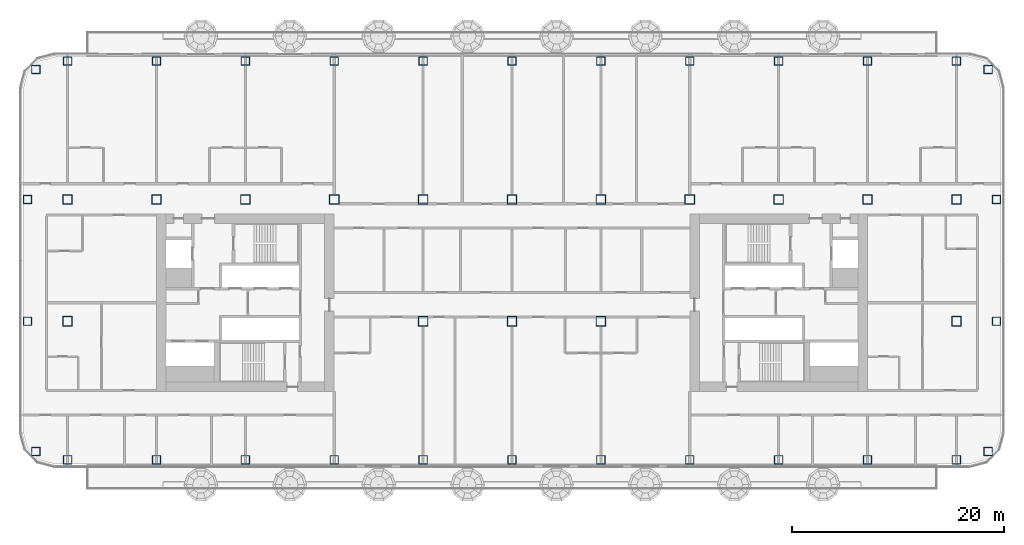
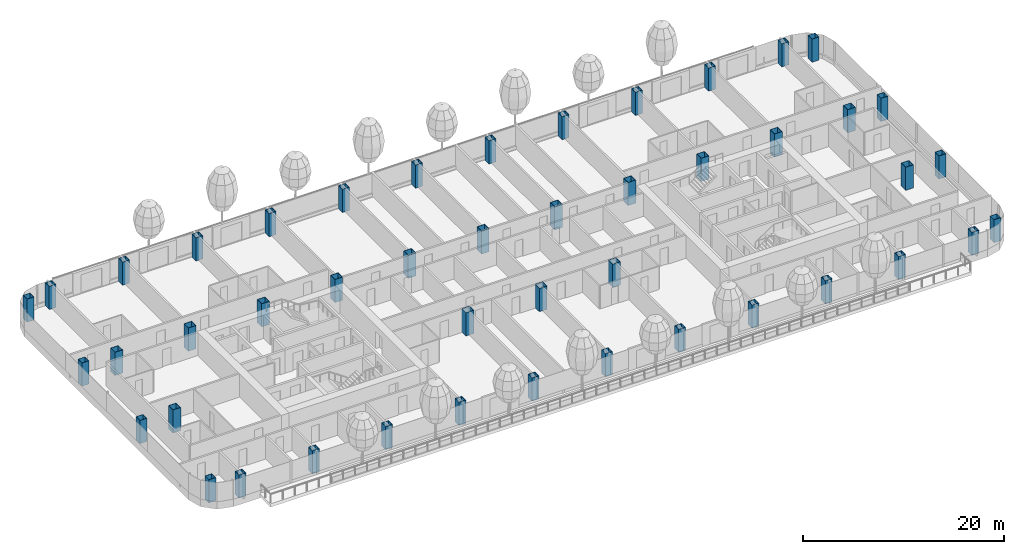
# One storey, part 1 of 34: 46 columns.
"""IFC4 building model written with IfcOpenShell, lengths in metres."""

from ifc_helpers import new_model, si_unit, direction, frame, origin, origin_2d, place, context, subcontext, project, spatial, hollow_rectangle, extrude, material, material_profile, profile_set, type_object, element, save


model = new_model("IFC4")

# Units and contexts
model_context = context("Model", 3, precision=1e-05, world=origin(), true_north=direction((0.0, 1.0)))
body_context = subcontext(model_context, "Body", "Model", "MODEL_VIEW")
ifc_project = project(units=[si_unit("LENGTHUNIT", "METRE"), si_unit("AREAUNIT", "SQUARE_METRE"), si_unit("VOLUMEUNIT", "CUBIC_METRE"), si_unit("PLANEANGLEUNIT", "RADIAN"), si_unit("MASSUNIT", "GRAM", prefix="KILO")], contexts=[model_context])

# Site, building, storey
site_placement = place(None, origin())
site = spatial("IfcSite", under=ifc_project, at=site_placement, CompositionType="ELEMENT")
building_placement = place(site_placement, origin())
building = spatial("IfcBuilding", under=site, at=building_placement, Name="Hakoniwa Tower and Hamabe Station Hall", CompositionType="ELEMENT")
storey_placement = place(building_placement, frame((0.0, 0.0, 107.39990234375)))
storey = spatial("IfcBuildingStorey", under=building, at=storey_placement, Name="L30", CompositionType="ELEMENT", Elevation=107.39990234375)

# Columns
ifc_material_1 = material(Name="Steel SN490C", Category="steel")
ifc_material_profile_1 = material_profile(ifc_material_1, hollow_rectangle(XDim=0.800048828125, YDim=0.800048828125, WallThickness=0.031982421875, at=origin_2d()), Name="BX-800x800x32")
ifc_profile_set_1 = profile_set([ifc_material_profile_1], Name="Steel SN490C")
column_type_1 = type_object("IfcColumnType", Name="COLUMN BX-800x800x32", PredefinedType="COLUMN", material=ifc_profile_set_1)
for number, where, z_axis, x_axis, name in (
    (1, (-45.003173828125, -14.052978515625, 0.0), (0.0, 0.0, 1.0), (1.0, 0.0, 0.0), "Column B2-EW-A2"),
    (2, (-45.800048828125, -1.75, 0.0), (0.0, 0.0, 1.0), (1.0, 0.0, 0.0), "Column B2-EW-C2"),
    (3, (-45.800048828125, 9.75, 0.0), (0.0, 0.0, 1.0), (1.0, 0.0, 0.0), "Column B2-EW-E2"),
    (4, (-45.003173828125, 22.052978515625, 0.0), (0.0, 0.0, 1.0), (1.0, 0.0, 0.0), "Column B2-EW-G2"),
    (5, (-42.0, -14.85009765625, 0.0), (0.0, 0.0, 1.0), (1.0, 0.0, 0.0), "Column B2-2-A2"),
    (6, (-42.0, 22.85009765625, 0.0), (0.0, 0.0, 1.0), (1.0, 0.0, 0.0), "Column B2-2-G2"),
    (7, (-33.60009765625, -14.85009765625, 0.0), (0.0, 0.0, 1.0), (1.0, 0.0, 0.0), "Column B2-3-A2"),
    (8, (-33.60009765625, 22.85009765625, 0.0), (0.0, 0.0, 1.0), (1.0, 0.0, 0.0), "Column B2-3-G2"),
    (9, (-25.199951171875, -14.85009765625, 0.0), (0.0, 0.0, 1.0), (1.0, 0.0, 0.0), "Column B2-4-A2"),
    (10, (-25.199951171875, 22.85009765625, 0.0), (0.0, 0.0, 1.0), (1.0, 0.0, 0.0), "Column B2-4-G2"),
    (11, (-16.800048828125, -14.85009765625, 0.0), (0.0, 0.0, 1.0), (1.0, 0.0, 0.0), "Column B2-5-A2"),
    (12, (-16.800048828125, 22.85009765625, 0.0), (0.0, 0.0, 1.0), (1.0, 0.0, 0.0), "Column B2-5-G2"),
    (13, (-8.39990234375, -14.85009765625, 0.0), (0.0, 0.0, 1.0), (1.0, 0.0, 0.0), "Column B2-6-A2"),
    (14, (-8.39990234375, 22.85009765625, 0.0), (0.0, 0.0, 1.0), (1.0, 0.0, 0.0), "Column B2-6-G2"),
    (15, (0.0, -14.85009765625, 0.0), (0.0, 0.0, 1.0), (1.0, 0.0, 0.0), "Column B2-7-A2"),
    (16, (0.0, 22.85009765625, 0.0), (0.0, 0.0, 1.0), (1.0, 0.0, 0.0), "Column B2-7-G2"),
    (17, (8.39990234375, -14.85009765625, 0.0), (0.0, 0.0, 1.0), (1.0, 0.0, 0.0), "Column B2-8-A2"),
    (18, (8.39990234375, 22.85009765625, 0.0), (0.0, 0.0, 1.0), (1.0, 0.0, 0.0), "Column B2-8-G2"),
    (19, (16.800048828125, -14.85009765625, 0.0), (0.0, 0.0, 1.0), (1.0, 0.0, 0.0), "Column B2-9-A2"),
    (20, (16.800048828125, 22.85009765625, 0.0), (0.0, 0.0, 1.0), (1.0, 0.0, 0.0), "Column B2-9-G2"),
    (21, (25.199951171875, -14.85009765625, 0.0), (0.0, 0.0, 1.0), (1.0, 0.0, 0.0), "Column B2-10-A2"),
    (22, (25.199951171875, 22.85009765625, 0.0), (0.0, 0.0, 1.0), (1.0, 0.0, 0.0), "Column B2-10-G2"),
    (23, (33.60009765625, -14.85009765625, 0.0), (0.0, 0.0, 1.0), (1.0, 0.0, 0.0), "Column B2-11-A2"),
    (24, (33.60009765625, 22.85009765625, 0.0), (0.0, 0.0, 1.0), (1.0, 0.0, 0.0), "Column B2-11-G2"),
    (25, (42.0, -14.85009765625, 0.0), (0.0, 0.0, 1.0), (1.0, 0.0, 0.0), "Column B2-12-A2"),
    (26, (42.0, 22.85009765625, 0.0), (0.0, 0.0, 1.0), (1.0, 0.0, 0.0), "Column B2-12-G2"),
    (27, (45.003173828125, -14.052978515625, 0.0), (0.0, 0.0, 1.0), (1.0, 0.0, 0.0), "Column B2-EE-A2"),
    (28, (45.800048828125, -1.75, 0.0), (0.0, 0.0, 1.0), (1.0, 0.0, 0.0), "Column B2-EE-C2"),
    (29, (45.800048828125, 9.75, 0.0), (0.0, 0.0, 1.0), (1.0, 0.0, 0.0), "Column B2-EE-E2"),
    (30, (45.003173828125, 22.052978515625, 0.0), (0.0, 0.0, 1.0), (1.0, 0.0, 0.0), "Column B2-EE-G2"),
):
    element("IfcColumn", number, at=place(storey_placement, frame(where, z_axis=z_axis, x_axis=x_axis)), inside=storey, type_object=column_type_1, Name=name, PredefinedType="COLUMN", context=body_context, shape_type="SweptSolid", body=[
        extrude(hollow_rectangle(XDim=0.800048828125, YDim=0.800048828125, WallThickness=0.031982421875, at=origin_2d()), origin(), (0.0, 0.0, 1.0), 2.800048828125),
    ])
ifc_material_2 = material(Name="Steel SN490C", Category="steel")
ifc_material_profile_2 = material_profile(ifc_material_2, hollow_rectangle(XDim=0.89990234375, YDim=0.89990234375, WallThickness=0.035888671875, at=origin_2d()), Name="BX-900x900x36")
ifc_profile_set_2 = profile_set([ifc_material_profile_2], Name="Steel SN490C")
column_type_2 = type_object("IfcColumnType", Name="COLUMN BX-900x900x36", PredefinedType="COLUMN", material=ifc_profile_set_2)
for number, where, z_axis, x_axis, name in (
    (31, (-42.0, -1.75, 0.0), (0.0, 0.0, 1.0), (1.0, 0.0, 0.0), "Column B2-2-C2"),
    (32, (-42.0, 9.75, 0.0), (0.0, 0.0, 1.0), (1.0, 0.0, 0.0), "Column B2-2-E2"),
    (33, (-33.60009765625, 9.75, 0.0), (0.0, 0.0, 1.0), (1.0, 0.0, 0.0), "Column B2-3-E2"),
    (34, (-25.199951171875, 9.75, 0.0), (0.0, 0.0, 1.0), (1.0, 0.0, 0.0), "Column B2-4-E2"),
    (35, (-16.800048828125, 9.75, 0.0), (0.0, 0.0, 1.0), (1.0, 0.0, 0.0), "Column B2-5-E2"),
    (36, (-8.39990234375, -1.75, 0.0), (0.0, 0.0, 1.0), (1.0, 0.0, 0.0), "Column B2-6-C2"),
    (37, (-8.39990234375, 9.75, 0.0), (0.0, 0.0, 1.0), (1.0, 0.0, 0.0), "Column B2-6-E2"),
    (38, (0.0, -1.75, 0.0), (0.0, 0.0, 1.0), (1.0, 0.0, 0.0), "Column B2-7-C2"),
    (39, (0.0, 9.75, 0.0), (0.0, 0.0, 1.0), (1.0, 0.0, 0.0), "Column B2-7-E2"),
    (40, (8.39990234375, -1.75, 0.0), (0.0, 0.0, 1.0), (1.0, 0.0, 0.0), "Column B2-8-C2"),
    (41, (8.39990234375, 9.75, 0.0), (0.0, 0.0, 1.0), (1.0, 0.0, 0.0), "Column B2-8-E2"),
    (42, (16.800048828125, 9.75, 0.0), (0.0, 0.0, 1.0), (1.0, 0.0, 0.0), "Column B2-9-E2"),
    (43, (25.199951171875, 9.75, 0.0), (0.0, 0.0, 1.0), (1.0, 0.0, 0.0), "Column B2-10-E2"),
    (44, (33.60009765625, 9.75, 0.0), (0.0, 0.0, 1.0), (1.0, 0.0, 0.0), "Column B2-11-E2"),
    (45, (42.0, -1.75, 0.0), (0.0, 0.0, 1.0), (1.0, 0.0, 0.0), "Column B2-12-C2"),
    (46, (42.0, 9.75, 0.0), (0.0, 0.0, 1.0), (1.0, 0.0, 0.0), "Column B2-12-E2"),
):
    element("IfcColumn", number, at=place(storey_placement, frame(where, z_axis=z_axis, x_axis=x_axis)), inside=storey, type_object=column_type_2, Name=name, PredefinedType="COLUMN", context=body_context, shape_type="SweptSolid", body=[
        extrude(hollow_rectangle(XDim=0.89990234375, YDim=0.89990234375, WallThickness=0.035888671875, at=origin_2d()), origin(), (0.0, 0.0, 1.0), 2.800048828125),
    ])

save(model, "model.ifc")
